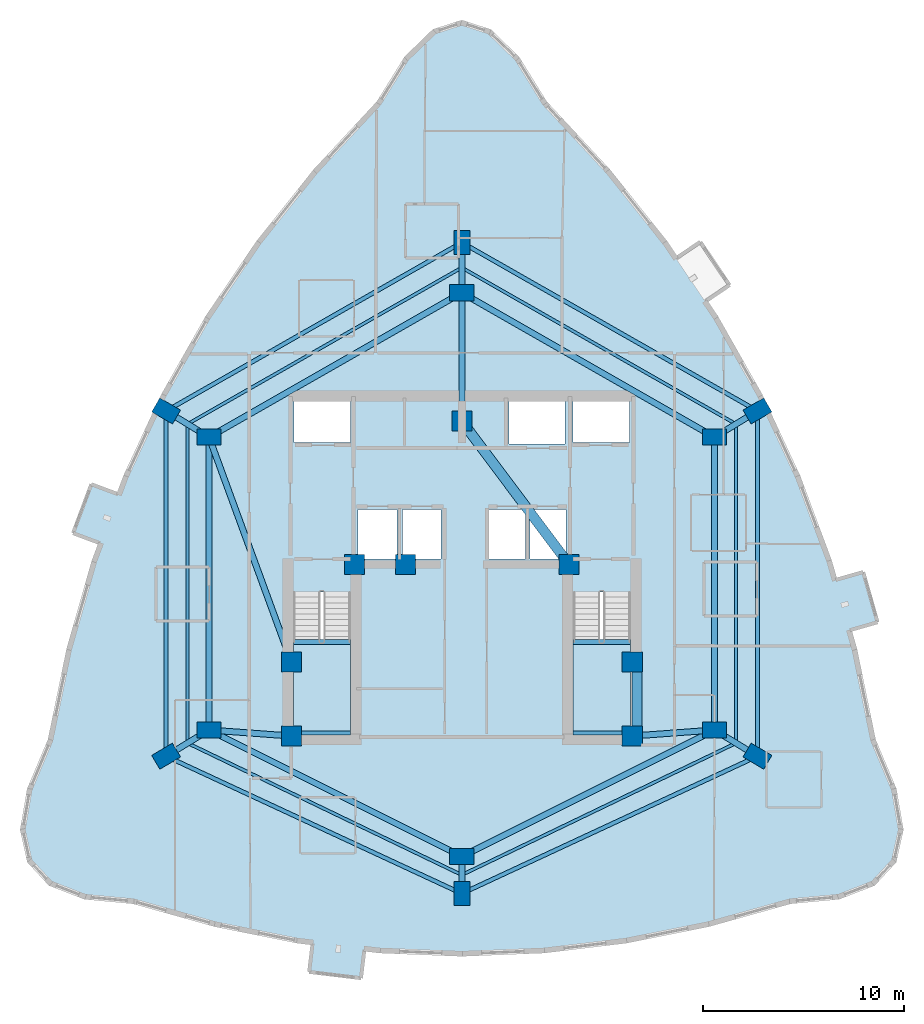
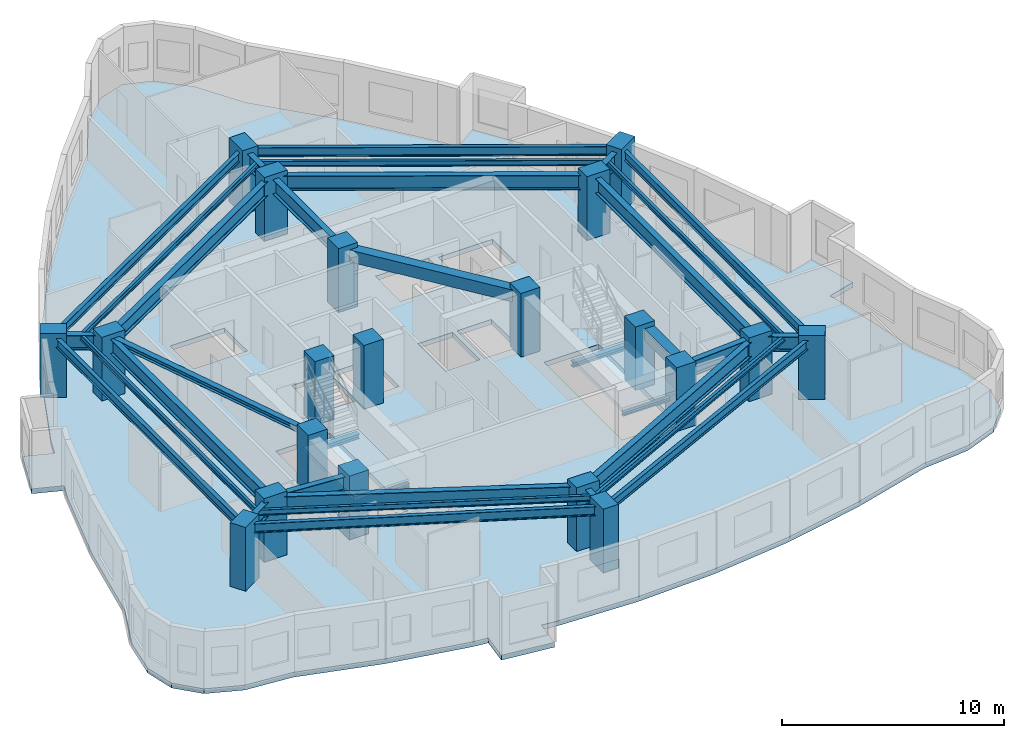
# One storey, part 1 of 10: 34 beams, 20 columns, 3 slabs, 2 elements without a shape of their own.
"""IFC4 building model written with IfcOpenShell, lengths in metres."""

from ifc_helpers import new_model, si_unit, direction, frame, origin, origin_2d, place, context, subcontext, project, spatial, polyline, rectangle, i_section, outline, extrude, material, layer, layer_set, material_profile, profile_set, type_object, element, aggregate, save


model = new_model("IFC4")

# Units and contexts
model_context = context("Model", 3, precision=1e-05, world=origin(), true_north=direction((0.0, 1.0)))
body_context = subcontext(model_context, "Body", "Model", "MODEL_VIEW")
ifc_project = project(units=[si_unit("LENGTHUNIT", "METRE"), si_unit("AREAUNIT", "SQUARE_METRE"), si_unit("VOLUMEUNIT", "CUBIC_METRE"), si_unit("PLANEANGLEUNIT", "RADIAN"), si_unit("MASSUNIT", "GRAM", prefix="KILO")], contexts=[model_context])

# Site, building, storey
site_placement = place(None, origin())
site = spatial("IfcSite", under=ifc_project, at=site_placement, CompositionType="ELEMENT")
building_placement = place(site_placement, origin())
building = spatial("IfcBuilding", under=site, at=building_placement, Name="Miruveldt Soraemaru", CompositionType="ELEMENT")
storey_placement = place(building_placement, frame((0.0, 0.0, 124.89990234375)))
storey = spatial("IfcBuildingStorey", under=building, at=storey_placement, Name="L34", CompositionType="ELEMENT", Elevation=124.89990234375)

# Columns
ifc_material_1 = material(Name="Concrete C60/75 (60 MPa)", Category="concrete")
ifc_material_profile_1 = material_profile(ifc_material_1, rectangle(XDim=1.0, YDim=1.0, at=origin_2d()), Name="Concrete C60/75 (60 MPa)", Category="concrete")
ifc_profile_set_1 = profile_set([ifc_material_profile_1], Name="Concrete C60/75 (60 MPa)")
column_type_1 = type_object("IfcColumnType", Name="COL-CORE-1000", PredefinedType="COLUMN", material=ifc_profile_set_1)
for number, where, z_axis, x_axis, name in (
    (1, (35.5, 35.5, 0.0), (0.0, 0.0, 1.0), (1.0, 0.0, 0.0), "L34 Structural Column CC1"),
    (2, (38.64990234375, 44.050048828125, 0.0), (0.0, 0.0, 1.0), (1.0, 0.0, 0.0), "L34 Structural Column CC2"),
    (3, (52.5, 35.5, 0.0), (0.0, 0.0, 1.0), (1.0, 0.0, 0.0), "L34 Structural Column CC3"),
    (4, (52.5, 39.199951171875, 0.0), (0.0, 0.0, 1.0), (1.0, 0.0, 0.0), "L34 Structural Column CC4"),
    (5, (49.35009765625, 44.050048828125, 0.0), (0.0, 0.0, 1.0), (1.0, 0.0, 0.0), "L34 Structural Column CC5"),
    (6, (44.0, 51.199951171875, 0.0), (0.0, 0.0, 1.0), (1.0, 0.0, 0.0), "L34 Structural Column CC6"),
    (7, (35.5, 39.199951171875, 0.0), (0.0, 0.0, 1.0), (1.0, 0.0, 0.0), "L34 Structural Column CC7"),
    (8, (41.199951171875, 44.050048828125, 0.0), (0.0, 0.0, 1.0), (1.0, 0.0, 0.0), "L34 Structural Column CC8"),
):
    element("IfcColumn", number, at=place(storey_placement, frame(where, z_axis=z_axis, x_axis=x_axis)), inside=storey, type_object=column_type_1, Name=name, PredefinedType="COLUMN", context=body_context, shape_type="SweptSolid", body=[
        extrude(rectangle(XDim=1.0, YDim=1.0, at=origin_2d()), origin(), (0.0, 0.0, 1.0), 3.5),
    ])
ifc_material_2 = material(Name="Concrete C70/85 (70 MPa)", Category="concrete")
ifc_material_profile_2 = material_profile(ifc_material_2, rectangle(XDim=1.199951171875, YDim=0.800048828125, at=origin_2d()), Name="Concrete C70/85 (70 MPa)", Category="concrete")
ifc_profile_set_2 = profile_set([ifc_material_profile_2], Name="Concrete C70/85 (70 MPa)")
column_type_2 = type_object("IfcColumnType", Name="COL-TW-Z2", PredefinedType="COLUMN", material=ifc_profile_set_2)
for number, where, z_axis, x_axis, name in (
    (9, (44.0, 57.60009765625, 0.0), (0.0, 0.0, 1.0), (1.0, 0.0, 0.0), "L34 Structural Column IR01"),
    (10, (56.60009765625, 50.39990234375, 0.0), (0.0, 0.0, 1.0), (1.0, 0.0, 0.0), "L34 Structural Column IR02"),
    (11, (56.60009765625, 35.800048828125, 0.0), (0.0, 0.0, 1.0), (1.0, 0.0, 0.0), "L34 Structural Column IR03"),
    (12, (44.0, 29.5, 0.0), (0.0, 0.0, 1.0), (1.0, 0.0, 0.0), "L34 Structural Column IR04"),
    (13, (31.39990234375, 35.800048828125, 0.0), (0.0, 0.0, 1.0), (1.0, 0.0, 0.0), "L34 Structural Column IR05"),
    (14, (31.39990234375, 50.39990234375, 0.0), (0.0, 0.0, 1.0), (1.0, 0.0, 0.0), "L34 Structural Column IR06"),
    (15, (44.0, 60.10595703125, 0.0), (0.0, 0.0, 1.0), (0.0, 1.0, 0.0), "L34 Structural Column Z2P01"),
    (16, (58.739990234375, 51.705078125, 0.0), (0.0, 0.0, 1.0), (0.866025403784, 0.5, 0.0), "L34 Structural Column Z2P02"),
    (17, (58.739990234375, 34.4951171875, 0.0), (0.0, 0.0, 1.0), (-0.860742027004, 0.50904141575, 0.0), "L34 Structural Column Z2P03"),
    (18, (44.0, 27.64697265625, 0.0), (0.0, 0.0, 1.0), (0.0, 1.0, 0.0), "L34 Structural Column Z2P04"),
    (19, (29.260009765625, 34.4951171875, 0.0), (0.0, 0.0, 1.0), (0.860742027004, 0.50904141575, 0.0), "L34 Structural Column Z2P05"),
    (20, (29.260009765625, 51.705078125, 0.0), (0.0, 0.0, 1.0), (-0.866025403784, 0.5, 0.0), "L34 Structural Column Z2P06"),
):
    element("IfcColumn", number, at=place(storey_placement, frame(where, z_axis=z_axis, x_axis=x_axis)), inside=storey, type_object=column_type_2, Name=name, PredefinedType="COLUMN", context=body_context, shape_type="SweptSolid", body=[
        extrude(rectangle(XDim=1.199951171875, YDim=0.800048828125, at=origin_2d()), origin(), (0.0, 0.0, 1.0), 3.5),
    ])

# Beams
ifc_material_3 = material(Name="Steel SM355 (355 MPa)", Category="steel")
ifc_material_profile_3 = material_profile(ifc_material_3, i_section(OverallWidth=0.300048828125, OverallDepth=0.300048828125, WebThickness=0.010009765625, FlangeThickness=0.014892578125, FilletRadius=0.01806640625, at=origin_2d()), Name="Steel SM355 (355 MPa)", Category="steel")
ifc_profile_set_3 = profile_set([ifc_material_profile_3], Name="Steel SM355 (355 MPa)")
beam_type_1 = type_object("IfcBeamType", Name="BM-LNT-H300", PredefinedType="LINTEL", material=ifc_profile_set_3)
beam_1_placement = place(storey_placement, frame((31.39990234375, 50.39990234375, 3.085205078125), z_axis=(0.343770424598, -0.939053723262, 0.0), x_axis=(0.939053723262, 0.343770424598, 0.0)))
element("IfcBeam", 21, at=beam_1_placement, inside=storey, type_object=beam_type_1, Name="L34 West Lobby Lintel", PredefinedType="LINTEL", context=body_context, shape_type="SweptSolid", body=[
    extrude(i_section(OverallWidth=0.300048828125, OverallDepth=0.300048828125, WebThickness=0.010009765625, FlangeThickness=0.014892578125, FilletRadius=0.01806640625, at=origin_2d()), origin(), (0.0, 0.0, 1.0), 11.9267578125),
])
ifc_material_4 = material(Name="Concrete C50/60 (50 MPa)", Category="concrete")
ifc_material_profile_4 = material_profile(ifc_material_4, rectangle(XDim=0.5, YDim=0.64990234375, at=origin_2d()), Name="Concrete C50/60 (50 MPa)", Category="concrete")
ifc_profile_set_4 = profile_set([ifc_material_profile_4], Name="Concrete C50/60 (50 MPa)")
beam_type_2 = type_object("IfcBeamType", Name="BM-RC-500x650", PredefinedType="BEAM", material=ifc_profile_set_4)
beam_2_placement = place(storey_placement, frame((52.72998046875, 35.5, 2.91015625), z_axis=(0.0, 1.0, 0.0), x_axis=(-1.0, 0.0, 0.0)))
element("IfcBeam", 22, at=beam_2_placement, inside=storey, type_object=beam_type_2, Name="L34 Core Tie Beam 3", PredefinedType="BEAM", context=body_context, shape_type="SweptSolid", body=[
    extrude(rectangle(XDim=0.5, YDim=0.64990234375, at=origin_2d()), origin(), (0.0, 0.0, 1.0), 3.699951171875),
])
beam_3_placement = place(storey_placement, frame((49.35009765625, 44.050048828125, 2.91015625), z_axis=(-0.599116023999, 0.800662219533, 0.0), x_axis=(-0.800662219533, -0.599116023999, 0.0)))
element("IfcBeam", 23, at=beam_3_placement, inside=storey, type_object=beam_type_2, Name="L34 Core Tie Beam 5", PredefinedType="BEAM", context=body_context, shape_type="SweptSolid", body=[
    extrude(rectangle(XDim=0.5, YDim=0.64990234375, at=origin_2d()), origin(), (0.0, 0.0, 1.0), 8.929931640625),
])
ifc_material_profile_5 = material_profile(ifc_material_3, i_section(OverallWidth=0.14990234375, OverallDepth=0.300048828125, WebThickness=0.006591796875, FlangeThickness=0.009033203125, FilletRadius=0.012939453125, at=origin_2d()), Name="Steel SM355 (355 MPa)", Category="steel")
ifc_profile_set_5 = profile_set([ifc_material_profile_5], Name="Steel SM355 (355 MPa)")
beam_type_3 = type_object("IfcBeamType", Name="BM-ST-H300", PredefinedType="JOIST", material=ifc_profile_set_5)
beam_4_placement = place(storey_placement, frame((44.0, 58.85302734375, 3.085205078125), z_axis=(0.868539859756, -0.495619321672, 0.0), x_axis=(0.495619321672, 0.868539859756, 0.0)))
element("IfcBeam", 24, at=beam_4_placement, inside=storey, type_object=beam_type_3, Name="L34 Outer Bay Floor Joist 1", PredefinedType="JOIST", context=body_context, shape_type="SweptSolid", body=[
    extrude(i_section(OverallWidth=0.14990234375, OverallDepth=0.300048828125, WebThickness=0.006591796875, FlangeThickness=0.009033203125, FilletRadius=0.012939453125, at=origin_2d()), origin(), (0.0, 0.0, 1.0), 15.739013671875),
])
beam_5_placement = place(storey_placement, frame((57.669921875, 51.052490234375, 3.085205078125), z_axis=(0.0, -1.0, 0.0), x_axis=(1.0, 0.0, 0.0)))
element("IfcBeam", 25, at=beam_5_placement, inside=storey, type_object=beam_type_3, Name="L34 Outer Bay Floor Joist 2", PredefinedType="JOIST", context=body_context, shape_type="SweptSolid", body=[
    extrude(i_section(OverallWidth=0.14990234375, OverallDepth=0.300048828125, WebThickness=0.006591796875, FlangeThickness=0.009033203125, FilletRadius=0.012939453125, at=origin_2d()), origin(), (0.0, 0.0, 1.0), 15.905029296875),
])
for number, where, z_axis, x_axis, name in (
    (26, (57.669921875, 35.1474609375, 3.085205078125), (-0.901203586802, -0.433396002676, 0.0), (0.433396002676, -0.901203586802, 0.0), "L34 Outer Bay Floor Joist 3"),
    (27, (44.0, 28.573486328125, 3.085205078125), (-0.901203586802, 0.433396002676, 0.0), (-0.433396002676, -0.901203586802, 0.0), "L34 Outer Bay Floor Joist 4"),
):
    element("IfcBeam", number, at=place(storey_placement, frame(where, z_axis=z_axis, x_axis=x_axis)), inside=storey, type_object=beam_type_3, Name=name, PredefinedType="JOIST", context=body_context, shape_type="SweptSolid", body=[
        extrude(i_section(OverallWidth=0.14990234375, OverallDepth=0.300048828125, WebThickness=0.006591796875, FlangeThickness=0.009033203125, FilletRadius=0.012939453125, at=origin_2d()), origin(), (0.0, 0.0, 1.0), 15.16845703125),
    ])
beam_6_placement = place(storey_placement, frame((30.330078125, 35.1474609375, 3.085205078125), z_axis=(0.0, 1.0, 0.0), x_axis=(-1.0, 0.0, 0.0)))
element("IfcBeam", 28, at=beam_6_placement, inside=storey, type_object=beam_type_3, Name="L34 Outer Bay Floor Joist 5", PredefinedType="JOIST", context=body_context, shape_type="SweptSolid", body=[
    extrude(i_section(OverallWidth=0.14990234375, OverallDepth=0.300048828125, WebThickness=0.006591796875, FlangeThickness=0.009033203125, FilletRadius=0.012939453125, at=origin_2d()), origin(), (0.0, 0.0, 1.0), 15.905029296875),
])
beam_7_placement = place(storey_placement, frame((30.330078125, 51.052490234375, 3.085205078125), z_axis=(0.868539859756, 0.495619321672, 0.0), x_axis=(-0.495619321672, 0.868539859756, 0.0)))
element("IfcBeam", 29, at=beam_7_placement, inside=storey, type_object=beam_type_3, Name="L34 Outer Bay Floor Joist 6", PredefinedType="JOIST", context=body_context, shape_type="SweptSolid", body=[
    extrude(i_section(OverallWidth=0.14990234375, OverallDepth=0.300048828125, WebThickness=0.006591796875, FlangeThickness=0.009033203125, FilletRadius=0.012939453125, at=origin_2d()), origin(), (0.0, 0.0, 1.0), 15.739013671875),
])
ifc_material_profile_6 = material_profile(ifc_material_3, i_section(OverallWidth=0.199951171875, OverallDepth=0.5, WebThickness=0.010009765625, FlangeThickness=0.01611328125, FilletRadius=0.02001953125, at=origin_2d()), Name="Steel SM355 (355 MPa)", Category="steel")
ifc_profile_set_6 = profile_set([ifc_material_profile_6], Name="Steel SM355 (355 MPa)")
beam_type_4 = type_object("IfcBeamType", Name="BM-ST-H500", PredefinedType="SPANDREL", material=ifc_profile_set_6)
beam_8_placement = place(storey_placement, frame((44.0, 60.10595703125, 2.985107421875), z_axis=(0.86880048516, -0.495162313778, 0.0), x_axis=(0.495162313778, 0.86880048516, 0.0)))
element("IfcBeam", 30, at=beam_8_placement, inside=storey, type_object=beam_type_4, Name="L34 Zone-2 Spandrel Beam 1", PredefinedType="SPANDREL", context=body_context, shape_type="SweptSolid", body=[
    extrude(i_section(OverallWidth=0.199951171875, OverallDepth=0.5, WebThickness=0.010009765625, FlangeThickness=0.01611328125, FilletRadius=0.02001953125, at=origin_2d()), origin(), (0.0, 0.0, 1.0), 16.9658203125),
])
beam_9_placement = place(storey_placement, frame((58.739990234375, 51.705078125, 2.985107421875), z_axis=(0.0, -1.0, 0.0), x_axis=(1.0, 0.0, 0.0)))
element("IfcBeam", 31, at=beam_9_placement, inside=storey, type_object=beam_type_4, Name="L34 Zone-2 Spandrel Beam 2", PredefinedType="SPANDREL", context=body_context, shape_type="SweptSolid", body=[
    extrude(i_section(OverallWidth=0.199951171875, OverallDepth=0.5, WebThickness=0.010009765625, FlangeThickness=0.01611328125, FilletRadius=0.02001953125, at=origin_2d()), origin(), (0.0, 0.0, 1.0), 17.2099609375),
])
for number, where, z_axis, x_axis, name in (
    (32, (58.739990234375, 34.4951171875, 2.985107421875), (-0.906901362829, -0.421342993414, 0.0), (0.421342993414, -0.906901362829, 0.0), "L34 Zone-2 Spandrel Beam 3"),
    (33, (44.0, 27.64697265625, 2.985107421875), (-0.906901362829, 0.421342993414, 0.0), (-0.421342993414, -0.906901362829, 0.0), "L34 Zone-2 Spandrel Beam 4"),
):
    element("IfcBeam", number, at=place(storey_placement, frame(where, z_axis=z_axis, x_axis=x_axis)), inside=storey, type_object=beam_type_4, Name=name, PredefinedType="SPANDREL", context=body_context, shape_type="SweptSolid", body=[
        extrude(i_section(OverallWidth=0.199951171875, OverallDepth=0.5, WebThickness=0.010009765625, FlangeThickness=0.01611328125, FilletRadius=0.02001953125, at=origin_2d()), origin(), (0.0, 0.0, 1.0), 16.253173828125),
    ])
beam_10_placement = place(storey_placement, frame((29.260009765625, 34.4951171875, 2.985107421875), z_axis=(0.0, 1.0, 0.0), x_axis=(-1.0, 0.0, 0.0)))
element("IfcBeam", 34, at=beam_10_placement, inside=storey, type_object=beam_type_4, Name="L34 Zone-2 Spandrel Beam 5", PredefinedType="SPANDREL", context=body_context, shape_type="SweptSolid", body=[
    extrude(i_section(OverallWidth=0.199951171875, OverallDepth=0.5, WebThickness=0.010009765625, FlangeThickness=0.01611328125, FilletRadius=0.02001953125, at=origin_2d()), origin(), (0.0, 0.0, 1.0), 17.2099609375),
])
beam_11_placement = place(storey_placement, frame((29.260009765625, 51.705078125, 2.985107421875), z_axis=(0.86880048516, 0.495162313778, 0.0), x_axis=(-0.495162313778, 0.86880048516, 0.0)))
element("IfcBeam", 35, at=beam_11_placement, inside=storey, type_object=beam_type_4, Name="L34 Zone-2 Spandrel Beam 6", PredefinedType="SPANDREL", context=body_context, shape_type="SweptSolid", body=[
    extrude(i_section(OverallWidth=0.199951171875, OverallDepth=0.5, WebThickness=0.010009765625, FlangeThickness=0.01611328125, FilletRadius=0.02001953125, at=origin_2d()), origin(), (0.0, 0.0, 1.0), 16.9658203125),
])
ifc_material_5 = material(Name="Steel S460 (460 MPa)", Category="steel")
ifc_material_profile_7 = material_profile(ifc_material_5, i_section(OverallWidth=0.300048828125, OverallDepth=0.800048828125, WebThickness=0.013916015625, FlangeThickness=0.02587890625, FilletRadius=0.028076171875, at=origin_2d()), Name="Steel S460 (460 MPa)", Category="steel")
ifc_profile_set_7 = profile_set([ifc_material_profile_7], Name="Steel S460 (460 MPa)")
beam_type_5 = type_object("IfcBeamType", Name="BM-ST-H800", PredefinedType="BEAM", material=ifc_profile_set_7)
beam_12_placement = place(storey_placement, frame((44.0, 57.60009765625, 2.835205078125), z_axis=(0.868239001029, -0.496146185203, 0.0), x_axis=(0.496146185203, 0.868239001029, 0.0)))
element("IfcBeam", 36, at=beam_12_placement, inside=storey, type_object=beam_type_5, Name="L34 Inner Ring Girder 1", PredefinedType="BEAM", context=body_context, shape_type="SweptSolid", body=[
    extrude(i_section(OverallWidth=0.300048828125, OverallDepth=0.800048828125, WebThickness=0.013916015625, FlangeThickness=0.02587890625, FilletRadius=0.028076171875, at=origin_2d()), origin(), (0.0, 0.0, 1.0), 14.51220703125),
])
beam_13_placement = place(storey_placement, frame((44.0, 51.199951171875, 2.835205078125), z_axis=(0.0, 1.0, 0.0), x_axis=(-1.0, 0.0, 0.0)))
element("IfcBeam", 37, at=beam_13_placement, inside=storey, type_object=beam_type_5, Name="L34 Core-to-Inner Radial Girder 1", PredefinedType="BEAM", context=body_context, shape_type="SweptSolid", body=[
    extrude(i_section(OverallWidth=0.300048828125, OverallDepth=0.800048828125, WebThickness=0.013916015625, FlangeThickness=0.02587890625, FilletRadius=0.028076171875, at=origin_2d()), origin(), (0.0, 0.0, 1.0), 6.400146484375),
])
beam_14_placement = place(storey_placement, frame((56.60009765625, 50.39990234375, 2.835205078125), z_axis=(0.0, -1.0, 0.0), x_axis=(1.0, 0.0, 0.0)))
element("IfcBeam", 38, at=beam_14_placement, inside=storey, type_object=beam_type_5, Name="L34 Inner Ring Girder 2", PredefinedType="BEAM", context=body_context, shape_type="SweptSolid", body=[
    extrude(i_section(OverallWidth=0.300048828125, OverallDepth=0.800048828125, WebThickness=0.013916015625, FlangeThickness=0.02587890625, FilletRadius=0.028076171875, at=origin_2d()), origin(), (0.0, 0.0, 1.0), 14.599853515625),
])
beam_15_placement = place(storey_placement, frame((56.60009765625, 35.800048828125, 2.835205078125), z_axis=(-0.894427191, -0.4472135955, 0.0), x_axis=(0.4472135955, -0.894427191, 0.0)))
element("IfcBeam", 39, at=beam_15_placement, inside=storey, type_object=beam_type_5, Name="L34 Inner Ring Girder 3", PredefinedType="BEAM", context=body_context, shape_type="SweptSolid", body=[
    extrude(i_section(OverallWidth=0.300048828125, OverallDepth=0.800048828125, WebThickness=0.013916015625, FlangeThickness=0.02587890625, FilletRadius=0.028076171875, at=origin_2d()), origin(), (0.0, 0.0, 1.0), 14.08740234375),
])
beam_16_placement = place(storey_placement, frame((52.5, 35.5, 2.835205078125), z_axis=(0.997332985605, 0.072985723431, 0.0), x_axis=(-0.072985723431, 0.997332985605, 0.0)))
element("IfcBeam", 40, at=beam_16_placement, inside=storey, type_object=beam_type_5, Name="L34 Core-to-Inner Radial Girder 3", PredefinedType="BEAM", context=body_context, shape_type="SweptSolid", body=[
    extrude(i_section(OverallWidth=0.300048828125, OverallDepth=0.800048828125, WebThickness=0.013916015625, FlangeThickness=0.02587890625, FilletRadius=0.028076171875, at=origin_2d()), origin(), (0.0, 0.0, 1.0), 4.111083984375),
])
beam_17_placement = place(storey_placement, frame((44.0, 29.5, 2.835205078125), z_axis=(-0.894427191, 0.4472135955, 0.0), x_axis=(-0.4472135955, -0.894427191, 0.0)))
element("IfcBeam", 41, at=beam_17_placement, inside=storey, type_object=beam_type_5, Name="L34 Inner Ring Girder 4", PredefinedType="BEAM", context=body_context, shape_type="SweptSolid", body=[
    extrude(i_section(OverallWidth=0.300048828125, OverallDepth=0.800048828125, WebThickness=0.013916015625, FlangeThickness=0.02587890625, FilletRadius=0.028076171875, at=origin_2d()), origin(), (0.0, 0.0, 1.0), 14.08740234375),
])
beam_18_placement = place(storey_placement, frame((31.39990234375, 35.800048828125, 2.835205078125), z_axis=(0.0, 1.0, 0.0), x_axis=(-1.0, 0.0, 0.0)))
element("IfcBeam", 42, at=beam_18_placement, inside=storey, type_object=beam_type_5, Name="L34 Inner Ring Girder 5", PredefinedType="BEAM", context=body_context, shape_type="SweptSolid", body=[
    extrude(i_section(OverallWidth=0.300048828125, OverallDepth=0.800048828125, WebThickness=0.013916015625, FlangeThickness=0.02587890625, FilletRadius=0.028076171875, at=origin_2d()), origin(), (0.0, 0.0, 1.0), 14.599853515625),
])
beam_19_placement = place(storey_placement, frame((35.5, 35.5, 2.835205078125), z_axis=(-0.997332985605, 0.072985723431, 0.0), x_axis=(-0.072985723431, -0.997332985605, 0.0)))
element("IfcBeam", 43, at=beam_19_placement, inside=storey, type_object=beam_type_5, Name="L34 Core-to-Inner Radial Girder 5", PredefinedType="BEAM", context=body_context, shape_type="SweptSolid", body=[
    extrude(i_section(OverallWidth=0.300048828125, OverallDepth=0.800048828125, WebThickness=0.013916015625, FlangeThickness=0.02587890625, FilletRadius=0.028076171875, at=origin_2d()), origin(), (0.0, 0.0, 1.0), 4.111083984375),
])
beam_20_placement = place(storey_placement, frame((31.39990234375, 50.39990234375, 2.835205078125), z_axis=(0.868239001029, 0.496146185203, 0.0), x_axis=(-0.496146185203, 0.868239001029, 0.0)))
element("IfcBeam", 44, at=beam_20_placement, inside=storey, type_object=beam_type_5, Name="L34 Inner Ring Girder 6", PredefinedType="BEAM", context=body_context, shape_type="SweptSolid", body=[
    extrude(i_section(OverallWidth=0.300048828125, OverallDepth=0.800048828125, WebThickness=0.013916015625, FlangeThickness=0.02587890625, FilletRadius=0.028076171875, at=origin_2d()), origin(), (0.0, 0.0, 1.0), 14.51220703125),
])
beam_21_placement = place(storey_placement, frame((44.0, 57.60009765625, 2.835205078125), z_axis=(0.0, 1.0, 0.0), x_axis=(-1.0, 0.0, 0.0)))
element("IfcBeam", 45, at=beam_21_placement, inside=storey, type_object=beam_type_5, Name="L34 Zone-2 Radial Girder 1", PredefinedType="BEAM", context=body_context, shape_type="SweptSolid", body=[
    extrude(i_section(OverallWidth=0.300048828125, OverallDepth=0.800048828125, WebThickness=0.013916015625, FlangeThickness=0.02587890625, FilletRadius=0.028076171875, at=origin_2d()), origin(), (0.0, 0.0, 1.0), 2.505859375),
])
beam_22_placement = place(storey_placement, frame((56.60009765625, 50.39990234375, 2.835205078125), z_axis=(0.85373175529, 0.520713059188, 0.0), x_axis=(-0.520713059188, 0.85373175529, 0.0)))
element("IfcBeam", 46, at=beam_22_placement, inside=storey, type_object=beam_type_5, Name="L34 Zone-2 Radial Girder 2", PredefinedType="BEAM", context=body_context, shape_type="SweptSolid", body=[
    extrude(i_section(OverallWidth=0.300048828125, OverallDepth=0.800048828125, WebThickness=0.013916015625, FlangeThickness=0.02587890625, FilletRadius=0.028076171875, at=origin_2d()), origin(), (0.0, 0.0, 1.0), 2.506591796875),
])
beam_23_placement = place(storey_placement, frame((56.60009765625, 35.800048828125, 2.835205078125), z_axis=(0.853775054686, -0.5206420613, 0.0), x_axis=(0.5206420613, 0.853775054686, 0.0)))
element("IfcBeam", 47, at=beam_23_placement, inside=storey, type_object=beam_type_5, Name="L34 Zone-2 Radial Girder 3", PredefinedType="BEAM", context=body_context, shape_type="SweptSolid", body=[
    extrude(i_section(OverallWidth=0.300048828125, OverallDepth=0.800048828125, WebThickness=0.013916015625, FlangeThickness=0.02587890625, FilletRadius=0.028076171875, at=origin_2d()), origin(), (0.0, 0.0, 1.0), 2.50634765625),
])
beam_24_placement = place(storey_placement, frame((44.0, 29.5, 2.835205078125), z_axis=(0.0, -1.0, 0.0), x_axis=(1.0, 0.0, 0.0)))
element("IfcBeam", 48, at=beam_24_placement, inside=storey, type_object=beam_type_5, Name="L34 Zone-2 Radial Girder 4", PredefinedType="BEAM", context=body_context, shape_type="SweptSolid", body=[
    extrude(i_section(OverallWidth=0.300048828125, OverallDepth=0.800048828125, WebThickness=0.013916015625, FlangeThickness=0.02587890625, FilletRadius=0.028076171875, at=origin_2d()), origin(), (0.0, 0.0, 1.0), 1.85302734375),
])
beam_25_placement = place(storey_placement, frame((31.39990234375, 35.800048828125, 2.835205078125), z_axis=(-0.853775054686, -0.5206420613, 0.0), x_axis=(0.5206420613, -0.853775054686, 0.0)))
element("IfcBeam", 49, at=beam_25_placement, inside=storey, type_object=beam_type_5, Name="L34 Zone-2 Radial Girder 5", PredefinedType="BEAM", context=body_context, shape_type="SweptSolid", body=[
    extrude(i_section(OverallWidth=0.300048828125, OverallDepth=0.800048828125, WebThickness=0.013916015625, FlangeThickness=0.02587890625, FilletRadius=0.028076171875, at=origin_2d()), origin(), (0.0, 0.0, 1.0), 2.50634765625),
])
beam_26_placement = place(storey_placement, frame((31.39990234375, 50.39990234375, 2.835205078125), z_axis=(-0.85373175529, 0.520713059188, 0.0), x_axis=(-0.520713059188, -0.85373175529, 0.0)))
element("IfcBeam", 50, at=beam_26_placement, inside=storey, type_object=beam_type_5, Name="L34 Zone-2 Radial Girder 6", PredefinedType="BEAM", context=body_context, shape_type="SweptSolid", body=[
    extrude(i_section(OverallWidth=0.300048828125, OverallDepth=0.800048828125, WebThickness=0.013916015625, FlangeThickness=0.02587890625, FilletRadius=0.028076171875, at=origin_2d()), origin(), (0.0, 0.0, 1.0), 2.506591796875),
])
ifc_material_profile_8 = material_profile(ifc_material_3, i_section(OverallWidth=0.199951171875, OverallDepth=0.199951171875, WebThickness=0.008056640625, FlangeThickness=0.011962890625, FilletRadius=0.012939453125, at=origin_2d()), Name="Steel SM355 (355 MPa)", Category="steel")
ifc_profile_set_8 = profile_set([ifc_material_profile_8], Name="Steel SM355 (355 MPa)")
beam_type_6 = type_object("IfcBeamType", Name="BM-ST-LND200", PredefinedType="BEAM", material=ifc_profile_set_8)
for number, where, z_axis, x_axis, name in (
    (51, (35.60009765625, 35.64990234375, 1.4501953125), (1.0, 0.0, 0.0), (0.0, 1.0, 0.0), "L34 ST1 Landing End Beam 1B"),
    (52, (49.550048828125, 35.64990234375, 1.4501953125), (1.0, 0.0, 0.0), (0.0, 1.0, 0.0), "L34 ST2 Landing End Beam 1B"),
):
    element("IfcBeam", number, at=place(storey_placement, frame(where, z_axis=z_axis, x_axis=x_axis)), inside=storey, type_object=beam_type_6, Name=name, PredefinedType="BEAM", context=body_context, shape_type="SweptSolid", body=[
        extrude(i_section(OverallWidth=0.199951171875, OverallDepth=0.199951171875, WebThickness=0.008056640625, FlangeThickness=0.011962890625, FilletRadius=0.012939453125, at=origin_2d()), origin(), (0.0, 0.0, 1.0), 2.849853515625),
    ])
ifc_material_profile_9 = material_profile(ifc_material_3, i_section(OverallWidth=0.25, OverallDepth=0.25, WebThickness=0.009033203125, FlangeThickness=0.013916015625, FilletRadius=0.01611328125, at=origin_2d()), Name="Steel SM355 (355 MPa)", Category="steel")
ifc_profile_set_9 = profile_set([ifc_material_profile_9], Name="Steel SM355 (355 MPa)")
beam_type_7 = type_object("IfcBeamType", Name="BM-ST-LND250", PredefinedType="BEAM", material=ifc_profile_set_9)
for number, where, z_axis, x_axis, name in (
    (53, (35.60009765625, 40.179931640625, 1.425048828125), (1.0, 0.0, 0.0), (0.0, 1.0, 0.0), "L34 ST1 Landing Support Beam 1A"),
    (54, (49.550048828125, 40.179931640625, 1.425048828125), (1.0, 0.0, 0.0), (0.0, 1.0, 0.0), "L34 ST2 Landing Support Beam 1A"),
):
    element("IfcBeam", number, at=place(storey_placement, frame(where, z_axis=z_axis, x_axis=x_axis)), inside=storey, type_object=beam_type_7, Name=name, PredefinedType="BEAM", context=body_context, shape_type="SweptSolid", body=[
        extrude(i_section(OverallWidth=0.25, OverallDepth=0.25, WebThickness=0.009033203125, FlangeThickness=0.013916015625, FilletRadius=0.01611328125, at=origin_2d()), origin(), (0.0, 0.0, 1.0), 2.849853515625),
    ])

# Stair, slab
ifc_material_6 = material(Name="Concrete C40/50 (40 MPa)", Category="concrete")
stair_type = type_object("IfcStairType", Name="STAIR-DL-350", PredefinedType="HALF_TURN_STAIR", material=ifc_material_6)
stair_1_placement = place(storey_placement, origin())
stair_1 = element("IfcStair", 55, at=stair_1_placement, inside=storey, type_object=stair_type, Name="L34 Protected Exit Stair ST-1", PredefinedType="HALF_TURN_STAIR")
ifc_layer_1 = layer(ifc_material_6, 0.199951171875, Name="Concrete C40/50 (40 MPa)", Category="concrete")
ifc_layer_set_1 = layer_set([ifc_layer_1], Name="Concrete C40/50 (40 MPa)")
slab_type_1 = type_object("IfcSlabType", Name="SLAB-LAND-200", PredefinedType="LANDING", material=ifc_layer_set_1)
slab_1_placement = place(storey_placement, frame((0.0, 0.0, 1.550048828125)))
slab_1 = element("IfcSlab", 56, at=slab_1_placement, type_object=slab_type_1, Name="ST-1 landing 1", PredefinedType="LANDING", context=body_context, shape_type="SweptSolid", body=[
    extrude(outline(polyline([(35.60009765625, 40.197998046875), (35.60009765625, 35.64990234375), (38.449951171875, 35.64990234375), (38.449951171875, 40.197998046875), (35.60009765625, 40.197998046875)])), origin(), (0.0, 0.0, 1.0), 0.199951171875),
])
aggregate(stair_1, [slab_1])

stair_2_placement = place(storey_placement, origin())
stair_2 = element("IfcStair", 57, at=stair_2_placement, inside=storey, type_object=stair_type, Name="L34 Protected Exit Stair ST-2", PredefinedType="HALF_TURN_STAIR")
slab_2_placement = place(storey_placement, frame((0.0, 0.0, 1.550048828125)))
slab_2 = element("IfcSlab", 58, at=slab_2_placement, type_object=slab_type_1, Name="ST-2 landing 1", PredefinedType="LANDING", context=body_context, shape_type="SweptSolid", body=[
    extrude(outline(polyline([(49.550048828125, 40.197998046875), (49.550048828125, 35.64990234375), (52.39990234375, 35.64990234375), (52.39990234375, 40.197998046875), (49.550048828125, 40.197998046875)])), origin(), (0.0, 0.0, 1.0), 0.199951171875),
])
aggregate(stair_2, [slab_2])

# Slab
ifc_layer_2 = layer(ifc_material_6, 0.264892578125, Name="Concrete C40/50 (40 MPa)", Category="concrete")
ifc_layer_set_2 = layer_set([ifc_layer_2], Name="Concrete C40/50 (40 MPa)")
slab_type_2 = type_object("IfcSlabType", Name="SLAB-RES2-265", PredefinedType="FLOOR", material=ifc_layer_set_2)
slab_3_placement = place(storey_placement, frame((0.0, 0.0, -0.264892578125)))
element("IfcSlab", 59, at=slab_3_placement, inside=storey, type_object=slab_type_2, Name="L34 Structural Floor Slab", PredefinedType="FLOOR", context=body_context, shape_type="SweptSolid", body=[
    extrude(outline(polyline([(36.391845703125, 23.7412109375), (36.568115234375, 25.210693359375), (37.85888671875, 25.0556640625), (35.81201171875, 25.301513671875), (31.718017578125, 26.1201171875), (27.623779296875, 27.2666015625), (25.21337890625, 27.4892578125), (23.49169921875, 28.1572265625), (22.45849609375, 29.2705078125), (22.1142578125, 30.829345703125), (22.45849609375, 32.833251953125), (23.49169921875, 35.28271484375), (24.4267578125, 39.826904296875), (25.679443359375, 44.207275390625), (26.464599609375, 46.315673828125), (26.010986328125, 45.097412109375), (24.6240234375, 45.614013671875), (25.531494140625, 48.05029296875), (26.91845703125, 47.53369140625), (27.25, 48.423828125), (29.13818359375, 52.476806640625), (31.343994140625, 56.365966796875), (33.86767578125, 60.09130859375), (36.708984375, 63.65283203125), (39.867919921875, 67.05078125), (41.2451171875, 69.277587890625), (42.62255859375, 70.613525390625), (44.0, 71.058837890625), (45.37744140625, 70.613525390625), (46.7548828125, 69.277587890625), (48.132080078125, 67.05078125), (51.291015625, 63.65283203125), (54.13232421875, 60.09130859375), (55.394287109375, 58.228515625), (54.6650390625, 59.304931640625), (55.890380859375, 60.135009765625), (57.348388671875, 57.982421875), (56.123291015625, 57.15234375), (56.656005859375, 56.365966796875), (58.86181640625, 52.476806640625), (60.75, 48.423828125), (62.320556640625, 44.207275390625), (62.58935546875, 43.266845703125), (64.01220703125, 43.673828125), (64.727294921875, 41.17431640625), (63.304443359375, 40.76708984375), (62.947021484375, 42.01708984375), (63.5732421875, 39.826904296875), (64.50830078125, 35.28271484375), (65.54150390625, 32.833251953125), (65.8857421875, 30.829345703125), (65.54150390625, 29.2705078125), (64.50830078125, 28.1572265625), (62.78662109375, 27.4892578125), (60.376220703125, 27.2666015625), (56.281982421875, 26.1201171875), (52.18798828125, 25.301513671875), (48.093994140625, 24.81005859375), (44.0, 24.646484375), (39.906005859375, 24.81005859375), (39.149658203125, 24.90087890625), (38.973388671875, 23.431396484375), (36.391845703125, 23.7412109375)]), holes=[polyline([(35.614990234375, 35.6650390625), (38.43505859375, 35.6650390625), (38.43505859375, 42.68505859375), (35.614990234375, 42.68505859375), (35.614990234375, 35.6650390625)]), polyline([(49.56494140625, 35.6650390625), (52.385009765625, 35.6650390625), (52.385009765625, 42.68505859375), (49.56494140625, 42.68505859375), (49.56494140625, 35.6650390625)]), polyline([(40.764892578125, 44.31494140625), (40.764892578125, 46.784912109375), (38.81494140625, 46.784912109375), (38.81494140625, 44.31494140625), (40.764892578125, 44.31494140625)]), polyline([(42.965087890625, 44.31494140625), (42.965087890625, 46.784912109375), (41.034912109375, 46.784912109375), (41.034912109375, 44.31494140625), (42.965087890625, 44.31494140625)]), polyline([(47.1650390625, 44.31494140625), (47.1650390625, 46.784912109375), (45.364990234375, 46.784912109375), (45.364990234375, 44.31494140625), (47.1650390625, 44.31494140625)]), polyline([(49.18505859375, 44.31494140625), (49.18505859375, 46.784912109375), (47.39501953125, 46.784912109375), (47.39501953125, 44.31494140625), (49.18505859375, 44.31494140625)]), polyline([(38.445068359375, 50.135009765625), (38.445068359375, 52.205078125), (35.635009765625, 52.205078125), (35.635009765625, 50.135009765625), (38.445068359375, 50.135009765625)]), polyline([(49.554931640625, 50.135009765625), (52.364990234375, 50.135009765625), (52.364990234375, 52.205078125), (49.554931640625, 52.205078125), (49.554931640625, 50.135009765625)]), polyline([(46.364990234375, 50.06494140625), (49.135009765625, 50.06494140625), (49.135009765625, 52.3349609375), (46.364990234375, 52.3349609375), (46.364990234375, 50.06494140625)])]), origin(), (0.0, 0.0, 1.0), 0.264892578125),
])

save(model, "model.ifc")
